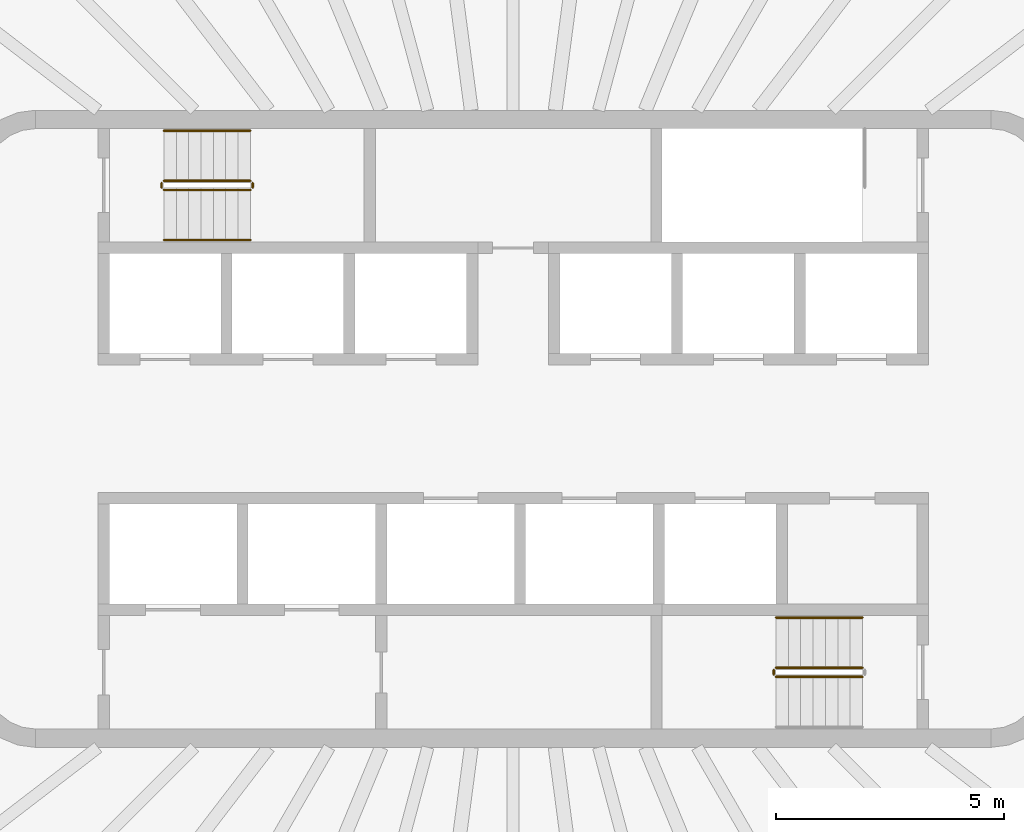
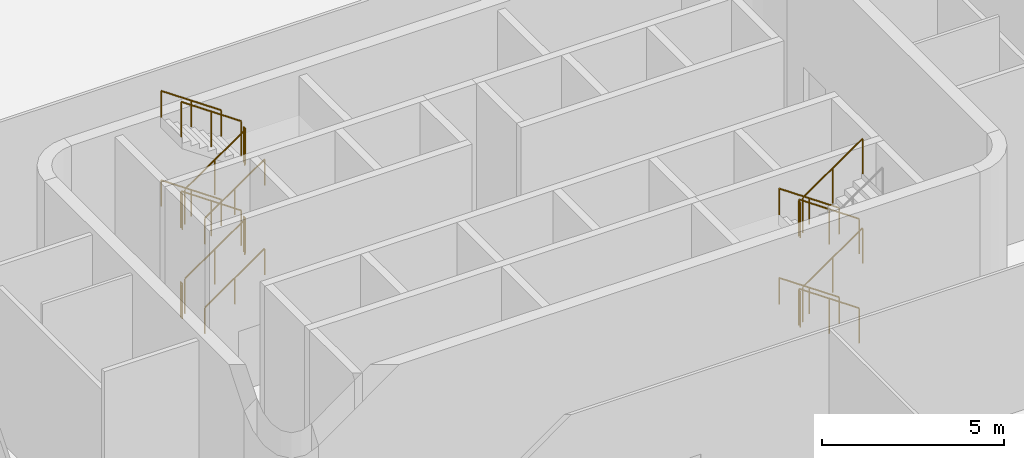
# One storey, part 12 of 14: 20 railings.
"""IFC4 building model written with IfcOpenShell, lengths in metres."""

import ifcopenshell
import ifcopenshell.guid

model = None  # the IFC model being written
_history = None  # IfcOwnerHistory: only IFC2X3 demands one
_inside = {}  # id of a spatial element -> (the spatial element, [elements in it])
_under = {}  # id of a project, library or spatial element -> (it, [spatial elements below it])
_declared = {}  # id of a project -> (the project, [libraries it declares])
_typed = {}  # id of a type object -> (the type object, [elements of that type])
_made_of = {}  # id of a material, layer set ... -> (it, [elements and type objects made of it])


def new_model(schema):
    """Start an empty IFC model of exactly this schema.

    Asked for "IFC4X3", IfcOpenShell would pick the latest addendum, in which some entities
    have other attributes; the version numbers below select the first issue.
    IFC2X3 requires an IfcOwnerHistory on every rooted entity: one is made here for all.
    """
    global model, _history
    if schema == "IFC4X3":
        model = ifcopenshell.file(schema_version=(4, 3, 0, 0))
    else:
        model = ifcopenshell.file(schema=schema)
    _inside.clear()
    _under.clear()
    _declared.clear()
    _typed.clear()
    _made_of.clear()
    _history = None
    if model.schema == "IFC2X3":
        org = make("IfcOrganization", Name="unknown")
        user = make(
            "IfcPersonAndOrganization",
            ThePerson=make("IfcPerson", FamilyName="unknown"),
            TheOrganization=org,
        )
        app = make(
            "IfcApplication",
            ApplicationDeveloper=org,
            Version="unknown",
            ApplicationFullName="unknown",
            ApplicationIdentifier="unknown",
        )
        _history = make(
            "IfcOwnerHistory",
            OwningUser=user,
            OwningApplication=app,
            ChangeAction="ADDED",
            CreationDate=0,
        )
    return model


def make(cls, **values):
    """One entity of the class cls with the attributes given. An attribute that is None is left unset."""
    return model.create_entity(
        cls, **{name: value for name, value in values.items() if value is not None}
    )


def rooted(cls, **values):
    """An entity with a GlobalId (a new one), such as an element, a storey or a relation."""
    return make(cls, GlobalId=ifcopenshell.guid.new(), OwnerHistory=_history, **values)


def si_unit(unit_type, name, prefix=None):
    """IfcSIUnit, for example si_unit("LENGTHUNIT", "METRE", prefix="MILLI")."""
    return make("IfcSIUnit", UnitType=unit_type, Prefix=prefix, Name=name)


def assignment(units):
    """IfcUnitAssignment: the units of a project."""
    return None if units is None else make("IfcUnitAssignment", Units=units)


def point(xyz):
    """IfcCartesianPoint."""
    return None if xyz is None else make("IfcCartesianPoint", Coordinates=xyz)


def direction(xyz):
    """IfcDirection."""
    return None if xyz is None else make("IfcDirection", DirectionRatios=xyz)


def frame(location, z_axis=None, x_axis=None):
    """IfcAxis2Placement3D, a coordinate frame: its origin and axes. An axis left out is left unset."""
    return make(
        "IfcAxis2Placement3D",
        Location=point(location),
        Axis=direction(z_axis),
        RefDirection=direction(x_axis),
    )


def frame_2d(location, x_axis=None):
    """IfcAxis2Placement2D, a coordinate frame in the plane: its origin and x axis."""
    return make(
        "IfcAxis2Placement2D", Location=point(location), RefDirection=direction(x_axis)
    )


def origin():
    """The frame at (0, 0, 0) with its axes left unset."""
    return frame((0.0, 0.0, 0.0))


def origin_2d():
    """The frame at (0, 0) in the plane with its x axis left unset."""
    return frame_2d((0.0, 0.0))


def place(relative_to, where):
    """IfcLocalPlacement: puts the frame where relative to a parent placement (None: the world)."""
    return make(
        "IfcLocalPlacement", PlacementRelTo=relative_to, RelativePlacement=where
    )


def context(
    kind, dimensions, precision=None, world=None, true_north=None, identifier=None
):
    """IfcGeometricRepresentationContext, for example the 3D "Model" context."""
    return make(
        "IfcGeometricRepresentationContext",
        ContextIdentifier=identifier,
        ContextType=kind,
        CoordinateSpaceDimension=dimensions,
        Precision=precision,
        WorldCoordinateSystem=world,
        TrueNorth=true_north,
    )


def subcontext(parent, identifier, kind, view, scale=None):
    """IfcGeometricRepresentationSubContext, for example "Body" below "Model"."""
    return make(
        "IfcGeometricRepresentationSubContext",
        ContextIdentifier=identifier,
        ContextType=kind,
        ParentContext=parent,
        TargetScale=scale,
        TargetView=view,
    )


def project(units=None, contexts=None):
    """IfcProject with its units and contexts."""
    return rooted(
        "IfcProject",
        Name="project",
        RepresentationContexts=contexts,
        UnitsInContext=assignment(units),
    )


def spatial(cls, under=None, at=None, **own):
    """A site, building, storey or space (cls), placed at a placement, below another one or the project."""
    s = rooted(cls, ObjectPlacement=at, **own)
    if under is not None:
        _under.setdefault(under.id(), (under, []))[1].append(s)
    return s


def profile(cls, at=None, kind="AREA", **sizes):
    """A parametric profile (cls). Its sizes go by their IFC names, for example OverallWidth=200.0."""
    return make(cls, ProfileType=kind, Position=at, **sizes)


def circle(**sizes):
    """IfcCircleProfileDef."""
    return profile("IfcCircleProfileDef", **sizes)


def extrude(swept, where, along, depth):
    """IfcExtrudedAreaSolid: the profile swept, set in the frame where, extruded along a direction by depth."""
    return make(
        "IfcExtrudedAreaSolid",
        SweptArea=swept,
        Position=where,
        ExtrudedDirection=direction(along),
        Depth=depth,
    )


def shape(context_of_items, identifier, shape_type, items):
    """IfcShapeRepresentation: the items that make up one representation, for example the "Body"."""
    return make(
        "IfcShapeRepresentation",
        ContextOfItems=context_of_items,
        RepresentationIdentifier=identifier,
        RepresentationType=shape_type,
        Items=items,
    )


def material(Name=None, Category=None):
    """IfcMaterial."""
    return make("IfcMaterial", Name=Name, Category=Category)


def made_of(thing, what):
    """Note that an element or type object is made of a material, layer set ...; save() writes the relation."""
    if what is not None:
        _made_of.setdefault(what.id(), (what, []))[1].append(thing)
    return thing


def type_object(cls, material=None, **own):
    """A type object (cls), such as IfcWallType, which elements share."""
    return made_of(rooted(cls, **own), material)


def element(
    cls,
    number,
    at=None,
    inside=None,
    cuts=None,
    type_object=None,
    material=None,
    context=None,
    identifier="Body",
    shape_type=None,
    held_by="IfcProductDefinitionShape",
    body=None,
    shapes=None,
    **own,
):
    """One element of the class cls, such as IfcWall. Its Tag is "e" and its number.

    at: its placement. inside: the storey or other place that contains it. cuts: it is an
    opening in that element (IfcRelVoidsElement). A single representation is given by context,
    identifier, shape_type and body (its items); several are given by shapes. held_by: the class
    of the entity that holds the representations. save() writes the other relations.
    """
    e = rooted(cls, Tag="e%d" % number, ObjectPlacement=at, **own)
    if body is not None:
        shapes = [shape(context, identifier, shape_type, body)]
    if shapes is not None:
        e.Representation = make(held_by, Representations=shapes)
    if inside is not None:
        _inside.setdefault(inside.id(), (inside, []))[1].append(e)
    if cuts is not None:
        rooted(
            "IfcRelVoidsElement", RelatingBuildingElement=cuts, RelatedOpeningElement=e
        )
    if type_object is not None:
        _typed.setdefault(type_object.id(), (type_object, []))[1].append(e)
    return made_of(e, material)


def aggregate(whole, parts):
    """IfcRelAggregates: a whole, such as a stair, and the parts it consists of."""
    return rooted("IfcRelAggregates", RelatingObject=whole, RelatedObjects=parts)


def save(model, path):
    """Write the relations noted so far, then the file.

    IfcRelAggregates (storeys below a building ...), IfcRelContainedInSpatialStructure (elements
    in a storey), IfcRelDefinesByType, IfcRelAssociatesMaterial and IfcRelDeclares: one each for
    every whole, place, type object, material and project.
    """
    for whole, parts in _under.values():
        aggregate(whole, parts)
    for where, things in _inside.values():
        rooted(
            "IfcRelContainedInSpatialStructure",
            RelatedElements=things,
            RelatingStructure=where,
        )
    for kind, things in _typed.values():
        rooted("IfcRelDefinesByType", RelatedObjects=things, RelatingType=kind)
    for what, things in _made_of.values():
        rooted("IfcRelAssociatesMaterial", RelatedObjects=things, RelatingMaterial=what)
    for by, libraries in _declared.values():
        rooted("IfcRelDeclares", RelatingContext=by, RelatedDefinitions=libraries)
    model.write(path)


model = new_model("IFC4")

# Units and contexts
model_context = context("Model", 3, precision=1e-05, world=origin(), true_north=direction((0.0, 1.0)))
body_context = subcontext(model_context, "Body", "Model", "MODEL_VIEW")
ifc_project = project(units=[si_unit("LENGTHUNIT", "METRE"), si_unit("AREAUNIT", "SQUARE_METRE"), si_unit("VOLUMEUNIT", "CUBIC_METRE"), si_unit("PLANEANGLEUNIT", "RADIAN"), si_unit("MASSUNIT", "GRAM", prefix="KILO")], contexts=[model_context])

# Site, building, storey
site_placement = place(None, origin())
site = spatial("IfcSite", under=ifc_project, at=site_placement, CompositionType="ELEMENT")
building_placement = place(site_placement, origin())
building = spatial("IfcBuilding", under=site, at=building_placement, Name="Sahrelin Media Tower", CompositionType="ELEMENT")
storey_placement = place(building_placement, frame((0.0, 0.0, 329.800048828125)))
storey = spatial("IfcBuildingStorey", under=building, at=storey_placement, Name="L73", CompositionType="ELEMENT", Elevation=329.800048828125)

# Railings
ifc_material = material(Name="Steel S355", Category="steel")
railing_type_1 = type_object("IfcRailingType", Name="Stair guard 1200", PredefinedType="GUARDRAIL", material=ifc_material)
railing_1_placement = place(storey_placement, frame((-7.675048828125, 5.25, 0.1875)))
element("IfcRailing", 1, at=railing_1_placement, inside=storey, type_object=railing_type_1, Name="L73 ST1 stair guard 1", PredefinedType="GUARDRAIL", context=body_context, shape_type="SweptSolid", body=[
    extrude(circle(Radius=0.02392578125, at=origin_2d()), frame((0.0, 0.0, 1.17578125), z_axis=(0.822796852201, 0.0, 0.56833558749), x_axis=(0.0, 1.0, 0.0)), (0.0, 0.0, 1.0), 2.309326171875),
    extrude(circle(Radius=0.02099609375, at=origin_2d()), origin(), (0.0, 0.0, 1.0), 1.15185546875),
    extrude(circle(Radius=0.02099609375, at=origin_2d()), frame((0.9501953125, 0.0, 0.65625)), (0.0, 0.0, 1.0), 1.15185546875),
    extrude(circle(Radius=0.02099609375, at=origin_2d()), frame((1.900146484375, 0.0, 1.3125)), (0.0, 0.0, 1.0), 1.15185546875),
])
railing_2_placement = place(storey_placement, frame((-5.72509765625, 5.300048828125, 1.5)))
element("IfcRailing", 2, at=railing_2_placement, inside=storey, type_object=railing_type_1, Name="L73 ST1 stair guard 2", PredefinedType="GUARDRAIL", context=body_context, shape_type="SweptSolid", body=[
    extrude(circle(Radius=0.02392578125, at=origin_2d()), frame((0.0, 0.0, 1.17578125), z_axis=(0.0, 1.0, 0.0), x_axis=(-1.0, 0.0, 0.0)), (0.0, 0.0, 1.0), 0.099853515625),
    extrude(circle(Radius=0.02099609375, at=origin_2d()), origin(), (0.0, 0.0, 1.0), 1.15185546875),
    extrude(circle(Radius=0.02099609375, at=origin_2d()), frame((0.0, 0.099853515625, 0.0)), (0.0, 0.0, 1.0), 1.15185546875),
])
railing_3_placement = place(storey_placement, frame((-5.77490234375, 5.449951171875, 1.6875)))
element("IfcRailing", 3, at=railing_3_placement, inside=storey, type_object=railing_type_1, Name="L73 ST1 stair guard 3", PredefinedType="GUARDRAIL", context=body_context, shape_type="SweptSolid", body=[
    extrude(circle(Radius=0.02392578125, at=origin_2d()), frame((0.0, 0.0, 1.17578125), z_axis=(-0.822796852201, 0.0, 0.56833558749), x_axis=(0.0, -1.0, 0.0)), (0.0, 0.0, 1.0), 2.309326171875),
    extrude(circle(Radius=0.02099609375, at=origin_2d()), origin(), (0.0, 0.0, 1.0), 1.15185546875),
    extrude(circle(Radius=0.02099609375, at=origin_2d()), frame((-0.9501953125, 0.0, 0.65625)), (0.0, 0.0, 1.0), 1.15185546875),
    extrude(circle(Radius=0.02099609375, at=origin_2d()), frame((-1.900146484375, 0.0, 1.3125)), (0.0, 0.0, 1.0), 1.15185546875),
])
railing_4_placement = place(storey_placement, frame((-7.72509765625, 5.300048828125, 3.0)))
element("IfcRailing", 4, at=railing_4_placement, inside=storey, type_object=railing_type_1, Name="L73 ST1 stair guard 4", PredefinedType="GUARDRAIL", context=body_context, shape_type="SweptSolid", body=[
    extrude(circle(Radius=0.02392578125, at=origin_2d()), frame((0.0, 0.0, 1.17578125), z_axis=(0.0, 1.0, 0.0), x_axis=(-1.0, 0.0, 0.0)), (0.0, 0.0, 1.0), 0.099853515625),
    extrude(circle(Radius=0.02099609375, at=origin_2d()), origin(), (0.0, 0.0, 1.0), 1.15185546875),
    extrude(circle(Radius=0.02099609375, at=origin_2d()), frame((0.0, 0.099853515625, 0.0)), (0.0, 0.0, 1.0), 1.15185546875),
])
railing_5_placement = place(storey_placement, frame((-7.675048828125, 5.25, 3.1875)))
element("IfcRailing", 5, at=railing_5_placement, inside=storey, type_object=railing_type_1, Name="L73 ST1 stair guard 5", PredefinedType="GUARDRAIL", context=body_context, shape_type="SweptSolid", body=[
    extrude(circle(Radius=0.02392578125, at=origin_2d()), frame((0.0, 0.0, 1.17578125), z_axis=(0.822796852201, 0.0, 0.56833558749), x_axis=(0.0, 1.0, 0.0)), (0.0, 0.0, 1.0), 2.309326171875),
    extrude(circle(Radius=0.02099609375, at=origin_2d()), origin(), (0.0, 0.0, 1.0), 1.15185546875),
    extrude(circle(Radius=0.02099609375, at=origin_2d()), frame((0.9501953125, 0.0, 0.65625)), (0.0, 0.0, 1.0), 1.15185546875),
    extrude(circle(Radius=0.02099609375, at=origin_2d()), frame((1.900146484375, 0.0, 1.3125)), (0.0, 0.0, 1.0), 1.15185546875),
])
railing_6_placement = place(storey_placement, frame((-5.72509765625, 5.300048828125, 4.5)))
element("IfcRailing", 6, at=railing_6_placement, inside=storey, type_object=railing_type_1, Name="L73 ST1 stair guard 6", PredefinedType="GUARDRAIL", context=body_context, shape_type="SweptSolid", body=[
    extrude(circle(Radius=0.02392578125, at=origin_2d()), frame((0.0, 0.0, 1.17578125), z_axis=(0.0, 1.0, 0.0), x_axis=(-1.0, 0.0, 0.0)), (0.0, 0.0, 1.0), 0.099853515625),
    extrude(circle(Radius=0.02099609375, at=origin_2d()), origin(), (0.0, 0.0, 1.0), 1.15185546875),
    extrude(circle(Radius=0.02099609375, at=origin_2d()), frame((0.0, 0.099853515625, 0.0)), (0.0, 0.0, 1.0), 1.15185546875),
])
railing_7_placement = place(storey_placement, frame((-5.77490234375, 5.449951171875, 4.6875)))
element("IfcRailing", 7, at=railing_7_placement, inside=storey, type_object=railing_type_1, Name="L73 ST1 stair guard 7", PredefinedType="GUARDRAIL", context=body_context, shape_type="SweptSolid", body=[
    extrude(circle(Radius=0.02392578125, at=origin_2d()), frame((0.0, 0.0, 1.17578125), z_axis=(-0.822796852201, 0.0, 0.56833558749), x_axis=(0.0, -1.0, 0.0)), (0.0, 0.0, 1.0), 2.309326171875),
    extrude(circle(Radius=0.02099609375, at=origin_2d()), origin(), (0.0, 0.0, 1.0), 1.15185546875),
    extrude(circle(Radius=0.02099609375, at=origin_2d()), frame((-0.9501953125, 0.0, 0.65625)), (0.0, 0.0, 1.0), 1.15185546875),
    extrude(circle(Radius=0.02099609375, at=origin_2d()), frame((-1.900146484375, 0.0, 1.3125)), (0.0, 0.0, 1.0), 1.15185546875),
])
railing_8_placement = place(storey_placement, frame((-7.72509765625, 5.300048828125, 0.0)))
element("IfcRailing", 8, at=railing_8_placement, inside=storey, type_object=railing_type_1, Name="L73 ST1 stair guard 8", PredefinedType="GUARDRAIL", context=body_context, shape_type="SweptSolid", body=[
    extrude(circle(Radius=0.02392578125, at=origin_2d()), frame((0.0, 0.0, 1.17578125), z_axis=(0.0, 1.0, 0.0), x_axis=(-1.0, 0.0, 0.0)), (0.0, 0.0, 1.0), 0.099853515625),
    extrude(circle(Radius=0.02099609375, at=origin_2d()), origin(), (0.0, 0.0, 1.0), 1.15185546875),
    extrude(circle(Radius=0.02099609375, at=origin_2d()), frame((0.0, 0.099853515625, 0.0)), (0.0, 0.0, 1.0), 1.15185546875),
])
railing_9_placement = place(storey_placement, frame((7.675048828125, -5.25, 0.1875)))
element("IfcRailing", 9, at=railing_9_placement, inside=storey, type_object=railing_type_1, Name="L73 ST2 stair guard 1", PredefinedType="GUARDRAIL", context=body_context, shape_type="SweptSolid", body=[
    extrude(circle(Radius=0.02392578125, at=origin_2d()), frame((0.0, 0.0, 1.17578125), z_axis=(-0.822796852201, 0.0, 0.56833558749), x_axis=(0.0, -1.0, 0.0)), (0.0, 0.0, 1.0), 2.309326171875),
    extrude(circle(Radius=0.02099609375, at=origin_2d()), origin(), (0.0, 0.0, 1.0), 1.15185546875),
    extrude(circle(Radius=0.02099609375, at=origin_2d()), frame((-0.9501953125, 0.0, 0.65625)), (0.0, 0.0, 1.0), 1.15185546875),
    extrude(circle(Radius=0.02099609375, at=origin_2d()), frame((-1.900146484375, 0.0, 1.3125)), (0.0, 0.0, 1.0), 1.15185546875),
])
railing_10_placement = place(storey_placement, frame((5.72509765625, -5.300048828125, 1.5)))
element("IfcRailing", 10, at=railing_10_placement, inside=storey, type_object=railing_type_1, Name="L73 ST2 stair guard 2", PredefinedType="GUARDRAIL", context=body_context, shape_type="SweptSolid", body=[
    extrude(circle(Radius=0.02392578125, at=origin_2d()), frame((0.0, 0.0, 1.17578125), z_axis=(0.0, -1.0, 0.0), x_axis=(1.0, 0.0, 0.0)), (0.0, 0.0, 1.0), 0.099853515625),
    extrude(circle(Radius=0.02099609375, at=origin_2d()), origin(), (0.0, 0.0, 1.0), 1.15185546875),
    extrude(circle(Radius=0.02099609375, at=origin_2d()), frame((0.0, -0.099853515625, 0.0)), (0.0, 0.0, 1.0), 1.15185546875),
])
railing_11_placement = place(storey_placement, frame((5.77490234375, -5.449951171875, 1.6875)))
element("IfcRailing", 11, at=railing_11_placement, inside=storey, type_object=railing_type_1, Name="L73 ST2 stair guard 3", PredefinedType="GUARDRAIL", context=body_context, shape_type="SweptSolid", body=[
    extrude(circle(Radius=0.02392578125, at=origin_2d()), frame((0.0, 0.0, 1.17578125), z_axis=(0.822796852201, 0.0, 0.56833558749), x_axis=(0.0, 1.0, 0.0)), (0.0, 0.0, 1.0), 2.309326171875),
    extrude(circle(Radius=0.02099609375, at=origin_2d()), origin(), (0.0, 0.0, 1.0), 1.15185546875),
    extrude(circle(Radius=0.02099609375, at=origin_2d()), frame((0.9501953125, 0.0, 0.65625)), (0.0, 0.0, 1.0), 1.15185546875),
    extrude(circle(Radius=0.02099609375, at=origin_2d()), frame((1.900146484375, 0.0, 1.3125)), (0.0, 0.0, 1.0), 1.15185546875),
])
railing_12_placement = place(storey_placement, frame((7.675048828125, -5.25, 3.1875)))
element("IfcRailing", 12, at=railing_12_placement, inside=storey, type_object=railing_type_1, Name="L73 ST2 stair guard 5", PredefinedType="GUARDRAIL", context=body_context, shape_type="SweptSolid", body=[
    extrude(circle(Radius=0.02392578125, at=origin_2d()), frame((0.0, 0.0, 1.17578125), z_axis=(-0.822796852201, 0.0, 0.56833558749), x_axis=(0.0, -1.0, 0.0)), (0.0, 0.0, 1.0), 2.309326171875),
    extrude(circle(Radius=0.02099609375, at=origin_2d()), origin(), (0.0, 0.0, 1.0), 1.15185546875),
    extrude(circle(Radius=0.02099609375, at=origin_2d()), frame((-0.9501953125, 0.0, 0.65625)), (0.0, 0.0, 1.0), 1.15185546875),
    extrude(circle(Radius=0.02099609375, at=origin_2d()), frame((-1.900146484375, 0.0, 1.3125)), (0.0, 0.0, 1.0), 1.15185546875),
])
railing_13_placement = place(storey_placement, frame((5.72509765625, -5.300048828125, 4.5)))
element("IfcRailing", 13, at=railing_13_placement, inside=storey, type_object=railing_type_1, Name="L73 ST2 stair guard 6", PredefinedType="GUARDRAIL", context=body_context, shape_type="SweptSolid", body=[
    extrude(circle(Radius=0.02392578125, at=origin_2d()), frame((0.0, 0.0, 1.17578125), z_axis=(0.0, -1.0, 0.0), x_axis=(1.0, 0.0, 0.0)), (0.0, 0.0, 1.0), 0.099853515625),
    extrude(circle(Radius=0.02099609375, at=origin_2d()), origin(), (0.0, 0.0, 1.0), 1.15185546875),
    extrude(circle(Radius=0.02099609375, at=origin_2d()), frame((0.0, -0.099853515625, 0.0)), (0.0, 0.0, 1.0), 1.15185546875),
])
railing_14_placement = place(storey_placement, frame((5.77490234375, -5.449951171875, 4.6875)))
element("IfcRailing", 14, at=railing_14_placement, inside=storey, type_object=railing_type_1, Name="L73 ST2 stair guard 7", PredefinedType="GUARDRAIL", context=body_context, shape_type="SweptSolid", body=[
    extrude(circle(Radius=0.02392578125, at=origin_2d()), frame((0.0, 0.0, 1.17578125), z_axis=(0.822796852201, 0.0, 0.56833558749), x_axis=(0.0, 1.0, 0.0)), (0.0, 0.0, 1.0), 2.309326171875),
    extrude(circle(Radius=0.02099609375, at=origin_2d()), origin(), (0.0, 0.0, 1.0), 1.15185546875),
    extrude(circle(Radius=0.02099609375, at=origin_2d()), frame((0.9501953125, 0.0, 0.65625)), (0.0, 0.0, 1.0), 1.15185546875),
    extrude(circle(Radius=0.02099609375, at=origin_2d()), frame((1.900146484375, 0.0, 1.3125)), (0.0, 0.0, 1.0), 1.15185546875),
])
railing_type_2 = type_object("IfcRailingType", Name="Stair handrail 900", PredefinedType="HANDRAIL", material=ifc_material)
railing_15_placement = place(storey_placement, frame((-7.675048828125, 4.14990234375, 0.1875)))
element("IfcRailing", 15, at=railing_15_placement, inside=storey, type_object=railing_type_2, Name="L73 ST1 stair handrail 1", PredefinedType="HANDRAIL", context=body_context, shape_type="SweptSolid", body=[
    extrude(circle(Radius=0.02392578125, at=origin_2d()), frame((0.0, 0.0, 0.8759765625), z_axis=(0.822796852201, 0.0, 0.56833558749), x_axis=(0.0, 1.0, 0.0)), (0.0, 0.0, 1.0), 2.309326171875),
    extrude(circle(Radius=0.02099609375, at=origin_2d()), origin(), (0.0, 0.0, 1.0), 0.851806640625),
    extrude(circle(Radius=0.02099609375, at=origin_2d()), frame((0.9501953125, 0.0, 0.65625)), (0.0, 0.0, 1.0), 0.851806640625),
    extrude(circle(Radius=0.02099609375, at=origin_2d()), frame((1.900146484375, 0.0, 1.3125)), (0.0, 0.0, 1.0), 0.851806640625),
])
railing_16_placement = place(storey_placement, frame((-5.77490234375, 6.550048828125, 1.6875)))
element("IfcRailing", 16, at=railing_16_placement, inside=storey, type_object=railing_type_2, Name="L73 ST1 stair handrail 2", PredefinedType="HANDRAIL", context=body_context, shape_type="SweptSolid", body=[
    extrude(circle(Radius=0.02392578125, at=origin_2d()), frame((0.0, 0.0, 0.8759765625), z_axis=(-0.822796852201, 0.0, 0.56833558749), x_axis=(0.0, -1.0, 0.0)), (0.0, 0.0, 1.0), 2.309326171875),
    extrude(circle(Radius=0.02099609375, at=origin_2d()), origin(), (0.0, 0.0, 1.0), 0.851806640625),
    extrude(circle(Radius=0.02099609375, at=origin_2d()), frame((-0.9501953125, 0.0, 0.65625)), (0.0, 0.0, 1.0), 0.851806640625),
    extrude(circle(Radius=0.02099609375, at=origin_2d()), frame((-1.900146484375, 0.0, 1.3125)), (0.0, 0.0, 1.0), 0.851806640625),
])
railing_17_placement = place(storey_placement, frame((-7.675048828125, 4.14990234375, 3.1875)))
element("IfcRailing", 17, at=railing_17_placement, inside=storey, type_object=railing_type_2, Name="L73 ST1 stair handrail 3", PredefinedType="HANDRAIL", context=body_context, shape_type="SweptSolid", body=[
    extrude(circle(Radius=0.02392578125, at=origin_2d()), frame((0.0, 0.0, 0.8759765625), z_axis=(0.822796852201, 0.0, 0.56833558749), x_axis=(0.0, 1.0, 0.0)), (0.0, 0.0, 1.0), 2.309326171875),
    extrude(circle(Radius=0.02099609375, at=origin_2d()), origin(), (0.0, 0.0, 1.0), 0.851806640625),
    extrude(circle(Radius=0.02099609375, at=origin_2d()), frame((0.9501953125, 0.0, 0.65625)), (0.0, 0.0, 1.0), 0.851806640625),
    extrude(circle(Radius=0.02099609375, at=origin_2d()), frame((1.900146484375, 0.0, 1.3125)), (0.0, 0.0, 1.0), 0.851806640625),
])
for number, where, name in (
    (18, (-5.77490234375, 6.550048828125, 4.6875), "L73 ST1 stair handrail 4"),
    (19, (7.675048828125, -4.14990234375, 0.1875), "L73 ST2 stair handrail 1"),
    (20, (7.675048828125, -4.14990234375, 3.1875), "L73 ST2 stair handrail 3"),
):
    element("IfcRailing", number, at=place(storey_placement, frame(where)), inside=storey, type_object=railing_type_2, Name=name, PredefinedType="HANDRAIL", context=body_context, shape_type="SweptSolid", body=[
        extrude(circle(Radius=0.02392578125, at=origin_2d()), frame((0.0, 0.0, 0.8759765625), z_axis=(-0.822796852201, 0.0, 0.56833558749), x_axis=(0.0, -1.0, 0.0)), (0.0, 0.0, 1.0), 2.309326171875),
        extrude(circle(Radius=0.02099609375, at=origin_2d()), origin(), (0.0, 0.0, 1.0), 0.851806640625),
        extrude(circle(Radius=0.02099609375, at=origin_2d()), frame((-0.9501953125, 0.0, 0.65625)), (0.0, 0.0, 1.0), 0.851806640625),
        extrude(circle(Radius=0.02099609375, at=origin_2d()), frame((-1.900146484375, 0.0, 1.3125)), (0.0, 0.0, 1.0), 0.851806640625),
    ])

save(model, "model.ifc")
